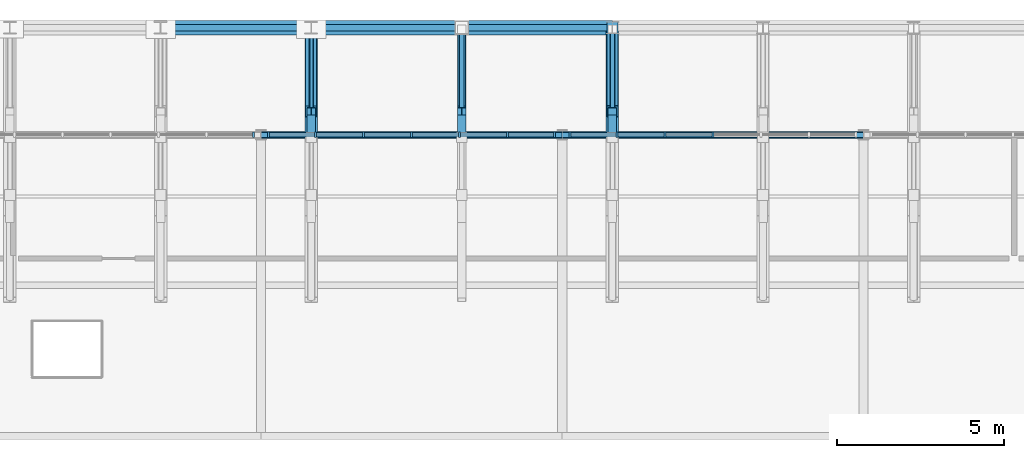
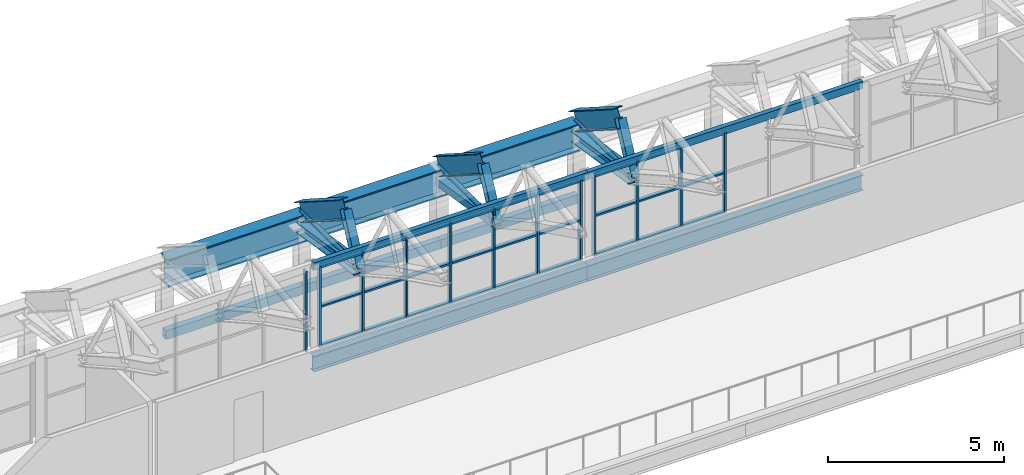
# One storey, part 84 of 134: 47 members, 13 beams, 3 elements without a shape of their own.
"""IFC4 building model written with IfcOpenShell, lengths in metres."""

from ifc_helpers import new_model, si_unit, direction, frame, origin, origin_2d, place, context, subcontext, project, spatial, rectangle, hollow_rectangle, hollow_circle, i_section, extrude, material, layer, layer_set, material_profile, profile_set, type_object, element, aggregate, save


model = new_model("IFC4")

# Units and contexts
model_context = context("Model", 3, precision=1e-05, world=origin(), true_north=direction((0.0, 1.0)))
body_context = subcontext(model_context, "Body", "Model", "MODEL_VIEW")
ifc_project = project(units=[si_unit("LENGTHUNIT", "METRE"), si_unit("AREAUNIT", "SQUARE_METRE"), si_unit("VOLUMEUNIT", "CUBIC_METRE"), si_unit("PLANEANGLEUNIT", "RADIAN"), si_unit("MASSUNIT", "GRAM", prefix="KILO")], contexts=[model_context])

# Site, building, storey
site_placement = place(None, origin())
site = spatial("IfcSite", under=ifc_project, at=site_placement, CompositionType="ELEMENT")
building_placement = place(site_placement, origin())
building = spatial("IfcBuilding", under=site, at=building_placement, Name="Cazmaro Siding Exhibition Halls", CompositionType="ELEMENT")
storey_placement = place(building_placement, frame((0.0, 0.0, 12.0)))
storey = spatial("IfcBuildingStorey", under=building, at=storey_placement, Name="L02", CompositionType="ELEMENT", Elevation=12.0)

# Beams
ifc_material_1 = material(Name="Steel ASTM A992 Grade 50", Category="steel")
ifc_material_profile_1 = material_profile(ifc_material_1, i_section(OverallWidth=0.327880859375, OverallDepth=0.626953125, WebThickness=0.01708984375, FlangeThickness=0.028076171875, at=origin_2d()), Name="W24X146")
ifc_profile_set_1 = profile_set([ifc_material_profile_1], Name="Steel ASTM A992 Grade 50")
beam_type_1 = type_object("IfcBeamType", Name="AR-01", PredefinedType="USERDEFINED", material=ifc_profile_set_1)
beam_1_placement = place(storey_placement, frame((139.5, 121.5, 3.89306640625), z_axis=(0.0, 0.843339173298, -0.537381650954), x_axis=(-1.0, 0.0, 0.0)))
element("IfcBeam", 1, at=beam_1_placement, inside=storey, type_object=beam_type_1, Name="Space frame barrel vault arched rib AR-01 BM-1062", ObjectType="ARCHED RIB", PredefinedType="USERDEFINED", context=body_context, shape_type="SweptSolid", body=[
    extrude(i_section(OverallWidth=0.327880859375, OverallDepth=0.626953125, WebThickness=0.01708984375, FlangeThickness=0.028076171875, at=origin_2d()), origin(), (0.0, 0.0, 1.0), 2.96435546875),
])
ifc_material_2 = material(Name="Steel ASTM A992 Grade 50", Category="steel")
ifc_material_profile_2 = material_profile(ifc_material_2, i_section(OverallWidth=0.324951171875, OverallDepth=0.612060546875, WebThickness=0.012939453125, FlangeThickness=0.01904296875, at=origin_2d()), Name="W24X104")
ifc_profile_set_2 = profile_set([ifc_material_profile_2], Name="Steel ASTM A992 Grade 50")
beam_type_2 = type_object("IfcBeamType", Name="AR-02", PredefinedType="USERDEFINED", material=ifc_profile_set_2)
beam_2_placement = place(storey_placement, frame((130.5, 121.5, 3.89306640625), z_axis=(0.0, 0.843339173298, -0.537381650954), x_axis=(-1.0, 0.0, 0.0)))
element("IfcBeam", 2, at=beam_2_placement, inside=storey, type_object=beam_type_2, Name="Space frame barrel vault arched rib AR-02 BM-1014", ObjectType="ARCHED RIB", PredefinedType="USERDEFINED", context=body_context, shape_type="SweptSolid", body=[
    extrude(i_section(OverallWidth=0.324951171875, OverallDepth=0.612060546875, WebThickness=0.012939453125, FlangeThickness=0.01904296875, at=origin_2d()), origin(), (0.0, 0.0, 1.0), 2.96435546875),
])
ifc_material_3 = material(Name="Steel ASTM A992 Grade 50", Category="steel")
ifc_material_profile_3 = material_profile(ifc_material_3, i_section(OverallWidth=0.22900390625, OverallDepth=0.612060546875, WebThickness=0.011962890625, FlangeThickness=0.02001953125, at=origin_2d()), Name="W24X84")
ifc_profile_set_3 = profile_set([ifc_material_profile_3], Name="Steel ASTM A992 Grade 50")
beam_type_3 = type_object("IfcBeamType", Name="AR-03", PredefinedType="USERDEFINED", material=ifc_profile_set_3)
beam_3_placement = place(storey_placement, frame((135.0, 121.5, 3.89306640625), z_axis=(0.0, 0.843339173298, -0.537381650954), x_axis=(-1.0, 0.0, 0.0)))
element("IfcBeam", 3, at=beam_3_placement, inside=storey, type_object=beam_type_3, Name="Space frame barrel vault arched rib AR-03 BM-1038", ObjectType="ARCHED RIB", PredefinedType="USERDEFINED", context=body_context, shape_type="SweptSolid", body=[
    extrude(i_section(OverallWidth=0.22900390625, OverallDepth=0.612060546875, WebThickness=0.011962890625, FlangeThickness=0.02001953125, at=origin_2d()), origin(), (0.0, 0.0, 1.0), 2.96435546875),
])
ifc_material_4 = material(Name="Steel ASTM A992 Grade 50", Category="steel")
ifc_material_profile_4 = material_profile(ifc_material_4, i_section(OverallWidth=0.2099609375, OverallDepth=0.535888671875, WebThickness=0.010986328125, FlangeThickness=0.01708984375, at=origin_2d()), Name="W21X68")
ifc_profile_set_4 = profile_set([ifc_material_profile_4], Name="Steel ASTM A992 Grade 50")
beam_type_4 = type_object("IfcBeamType", Name="B-02", PredefinedType="BEAM", material=ifc_profile_set_4)
for number, where, z_axis, x_axis, name in (
    (4, (129.0, 120.800048828125, -0.488037109375), (1.0, 0.0, 0.0), (0.0, 1.0, 0.0), "Beam B-02 BM-0426"),
    (5, (138.0, 120.800048828125, -0.488037109375), (1.0, 0.0, 0.0), (0.0, 1.0, 0.0), "Beam B-02 BM-0429"),
):
    element("IfcBeam", number, at=place(storey_placement, frame(where, z_axis=z_axis, x_axis=x_axis)), inside=storey, type_object=beam_type_4, Name=name, PredefinedType="BEAM", context=body_context, shape_type="SweptSolid", body=[
        extrude(i_section(OverallWidth=0.2099609375, OverallDepth=0.535888671875, WebThickness=0.010986328125, FlangeThickness=0.01708984375, at=origin_2d()), origin(), (0.0, 0.0, 1.0), 9.0),
    ])

# Curtain wall, member
ifc_material_5 = material(Name="Anodized Bronze Aluminum and Solar-Control Low-E Glazing", Category="aluminium")
ifc_layer = layer(ifc_material_5, 0.159912109375)
ifc_layer_set = layer_set([ifc_layer], Name="Anodized Bronze Aluminum and Solar-Control Low-E Glazing")
curtain_wall_type = type_object("IfcCurtainWallType", Name="CWS-04", PredefinedType="USERDEFINED", material=ifc_layer_set)
curtain_wall_1_placement = place(storey_placement, origin())
curtain_wall_1 = element("IfcCurtainWall", 6, at=curtain_wall_1_placement, inside=storey, type_object=curtain_wall_type, Name="Clerestory Curtain Wall CWS-04 CW-034", ObjectType="CLERESTORY CURTAIN WALL", PredefinedType="USERDEFINED")
ifc_material_6 = material(Name="Anodized Bronze Extruded Aluminum", Category="aluminium")
ifc_material_profile_5 = material_profile(ifc_material_6, rectangle(XDim=0.159912109375, YDim=0.06005859375, at=origin_2d()), Name="CWM-04")
ifc_profile_set_5 = profile_set([ifc_material_profile_5], Name="Anodized Bronze Extruded Aluminum")
member_type_1 = type_object("IfcMemberType", Name="CWM-04", PredefinedType="MULLION", material=ifc_profile_set_5)
member_1_placement = place(storey_placement, frame((128.77294921875, 120.800048828125, 0.0), z_axis=(0.0, 0.0, 1.0), x_axis=(0.0, -1.0, 0.0)))
member_1 = element("IfcMember", 7, at=member_1_placement, type_object=member_type_1, Name="CWS-04 mullion 1", PredefinedType="MULLION", context=body_context, shape_type="SweptSolid", body=[
    extrude(rectangle(XDim=0.159912109375, YDim=0.06005859375, at=origin_2d()), origin(), (0.0, 0.0, 1.0), 2.800048828125),
])
aggregate(curtain_wall_1, [member_1])

# Curtain wall, members
curtain_wall_2_placement = place(storey_placement, origin())
curtain_wall_2 = element("IfcCurtainWall", 8, at=curtain_wall_2_placement, inside=storey, type_object=curtain_wall_type, Name="Clerestory Curtain Wall CWS-04 CW-039", ObjectType="CLERESTORY CURTAIN WALL", PredefinedType="USERDEFINED")
member_2_placement = place(storey_placement, frame((137.77294921875, 120.800048828125, 0.0), z_axis=(0.0, 0.0, 1.0), x_axis=(0.0, -1.0, 0.0)))
member_2 = element("IfcMember", 9, at=member_2_placement, type_object=member_type_1, Name="CWS-04 mullion 1", PredefinedType="MULLION", context=body_context, shape_type="SweptSolid", body=[
    extrude(rectangle(XDim=0.159912109375, YDim=0.06005859375, at=origin_2d()), origin(), (0.0, 0.0, 1.0), 2.800048828125),
])
member_3_placement = place(storey_placement, frame((136.36865234375, 120.800048828125, 0.0), z_axis=(0.0, 0.0, 1.0), x_axis=(0.0, -1.0, 0.0)))
member_3 = element("IfcMember", 10, at=member_3_placement, type_object=member_type_1, Name="CWS-04 mullion 2", PredefinedType="MULLION", context=body_context, shape_type="SweptSolid", body=[
    extrude(rectangle(XDim=0.159912109375, YDim=0.06005859375, at=origin_2d()), origin(), (0.0, 0.0, 1.0), 2.800048828125),
])
member_4_placement = place(storey_placement, frame((134.934326171875, 120.800048828125, 0.0), z_axis=(0.0, 0.0, 1.0), x_axis=(0.0, -1.0, 0.0)))
member_4 = element("IfcMember", 11, at=member_4_placement, type_object=member_type_1, Name="CWS-04 mullion 3", PredefinedType="MULLION", context=body_context, shape_type="SweptSolid", body=[
    extrude(rectangle(XDim=0.159912109375, YDim=0.06005859375, at=origin_2d()), origin(), (0.0, 0.0, 1.0), 2.800048828125),
])
member_5_placement = place(storey_placement, frame((133.5, 120.800048828125, 0.0), z_axis=(0.0, 0.0, 1.0), x_axis=(0.0, -1.0, 0.0)))
member_5 = element("IfcMember", 12, at=member_5_placement, type_object=member_type_1, Name="CWS-04 mullion 4", PredefinedType="MULLION", context=body_context, shape_type="SweptSolid", body=[
    extrude(rectangle(XDim=0.159912109375, YDim=0.06005859375, at=origin_2d()), origin(), (0.0, 0.0, 1.0), 2.800048828125),
])
member_6_placement = place(storey_placement, frame((132.065673828125, 120.800048828125, 0.0), z_axis=(0.0, 0.0, 1.0), x_axis=(0.0, -1.0, 0.0)))
member_6 = element("IfcMember", 13, at=member_6_placement, type_object=member_type_1, Name="CWS-04 mullion 5", PredefinedType="MULLION", context=body_context, shape_type="SweptSolid", body=[
    extrude(rectangle(XDim=0.159912109375, YDim=0.06005859375, at=origin_2d()), origin(), (0.0, 0.0, 1.0), 2.800048828125),
])
member_7_placement = place(storey_placement, frame((130.63134765625, 120.800048828125, 0.0), z_axis=(0.0, 0.0, 1.0), x_axis=(0.0, -1.0, 0.0)))
member_7 = element("IfcMember", 14, at=member_7_placement, type_object=member_type_1, Name="CWS-04 mullion 6", PredefinedType="MULLION", context=body_context, shape_type="SweptSolid", body=[
    extrude(rectangle(XDim=0.159912109375, YDim=0.06005859375, at=origin_2d()), origin(), (0.0, 0.0, 1.0), 2.800048828125),
])
member_8_placement = place(storey_placement, frame((129.22705078125, 120.800048828125, 0.0), z_axis=(0.0, 0.0, 1.0), x_axis=(0.0, -1.0, 0.0)))
member_8 = element("IfcMember", 15, at=member_8_placement, type_object=member_type_1, Name="CWS-04 mullion 7", PredefinedType="MULLION", context=body_context, shape_type="SweptSolid", body=[
    extrude(rectangle(XDim=0.159912109375, YDim=0.06005859375, at=origin_2d()), origin(), (0.0, 0.0, 1.0), 2.800048828125),
])

curtain_wall_3_placement = place(storey_placement, origin())
curtain_wall_3 = element("IfcCurtainWall", 16, at=curtain_wall_3_placement, inside=storey, type_object=curtain_wall_type, Name="Clerestory Curtain Wall CWS-04 CW-042", ObjectType="CLERESTORY CURTAIN WALL", PredefinedType="USERDEFINED")
member_9_placement = place(storey_placement, frame((142.5, 120.800048828125, 0.0), z_axis=(0.0, 0.0, 1.0), x_axis=(0.0, -1.0, 0.0)))
member_9 = element("IfcMember", 17, at=member_9_placement, type_object=member_type_1, Name="CWS-04 mullion 4", PredefinedType="MULLION", context=body_context, shape_type="SweptSolid", body=[
    extrude(rectangle(XDim=0.159912109375, YDim=0.06005859375, at=origin_2d()), origin(), (0.0, 0.0, 1.0), 2.800048828125),
])
member_10_placement = place(storey_placement, frame((141.065673828125, 120.800048828125, 0.0), z_axis=(0.0, 0.0, 1.0), x_axis=(0.0, -1.0, 0.0)))
member_10 = element("IfcMember", 18, at=member_10_placement, type_object=member_type_1, Name="CWS-04 mullion 5", PredefinedType="MULLION", context=body_context, shape_type="SweptSolid", body=[
    extrude(rectangle(XDim=0.159912109375, YDim=0.06005859375, at=origin_2d()), origin(), (0.0, 0.0, 1.0), 2.800048828125),
])
member_11_placement = place(storey_placement, frame((139.63134765625, 120.800048828125, 0.0), z_axis=(0.0, 0.0, 1.0), x_axis=(0.0, -1.0, 0.0)))
member_11 = element("IfcMember", 19, at=member_11_placement, type_object=member_type_1, Name="CWS-04 mullion 6", PredefinedType="MULLION", context=body_context, shape_type="SweptSolid", body=[
    extrude(rectangle(XDim=0.159912109375, YDim=0.06005859375, at=origin_2d()), origin(), (0.0, 0.0, 1.0), 2.800048828125),
])
member_12_placement = place(storey_placement, frame((138.22705078125, 120.800048828125, 0.0), z_axis=(0.0, 0.0, 1.0), x_axis=(0.0, -1.0, 0.0)))
member_12 = element("IfcMember", 20, at=member_12_placement, type_object=member_type_1, Name="CWS-04 mullion 7", PredefinedType="MULLION", context=body_context, shape_type="SweptSolid", body=[
    extrude(rectangle(XDim=0.159912109375, YDim=0.06005859375, at=origin_2d()), origin(), (0.0, 0.0, 1.0), 2.800048828125),
])

# Member
ifc_material_7 = material(Name="Anodized Bronze Extruded Aluminum", Category="aluminium")
ifc_material_profile_6 = material_profile(ifc_material_7, rectangle(XDim=0.139892578125, YDim=0.06005859375, at=origin_2d()), Name="CWT-04")
ifc_profile_set_6 = profile_set([ifc_material_profile_6], Name="Anodized Bronze Extruded Aluminum")
member_type_2 = type_object("IfcMemberType", Name="CWT-04", PredefinedType="MULLION", material=ifc_profile_set_6)
member_13_placement = place(storey_placement, frame((137.742919921875, 120.800048828125, 0.030029296875), z_axis=(-1.0, 0.0, 0.0), x_axis=(0.0, -1.0, 0.0)))
member_13 = element("IfcMember", 21, at=member_13_placement, type_object=member_type_2, Name="CWS-04 transom 1.1", ObjectType="TRANSOM", PredefinedType="USERDEFINED", context=body_context, shape_type="SweptSolid", body=[
    extrude(rectangle(XDim=0.139892578125, YDim=0.06005859375, at=origin_2d()), origin(), (0.0, 0.0, 1.0), 1.34423828125),
])

member_14_placement = place(storey_placement, frame((137.742919921875, 120.800048828125, 1.39990234375), z_axis=(-1.0, 0.0, 0.0), x_axis=(0.0, -1.0, 0.0)))
member_14 = element("IfcMember", 22, at=member_14_placement, type_object=member_type_2, Name="CWS-04 transom 1.2", ObjectType="TRANSOM", PredefinedType="USERDEFINED", context=body_context, shape_type="SweptSolid", body=[
    extrude(rectangle(XDim=0.139892578125, YDim=0.06005859375, at=origin_2d()), origin(), (0.0, 0.0, 1.0), 1.34423828125),
])

member_15_placement = place(storey_placement, frame((137.742919921875, 120.800048828125, 2.77001953125), z_axis=(-1.0, 0.0, 0.0), x_axis=(0.0, -1.0, 0.0)))
member_15 = element("IfcMember", 23, at=member_15_placement, type_object=member_type_2, Name="CWS-04 transom 1.3", ObjectType="TRANSOM", PredefinedType="USERDEFINED", context=body_context, shape_type="SweptSolid", body=[
    extrude(rectangle(XDim=0.139892578125, YDim=0.06005859375, at=origin_2d()), origin(), (0.0, 0.0, 1.0), 1.34423828125),
])

member_16_placement = place(storey_placement, frame((136.338623046875, 120.800048828125, 0.030029296875), z_axis=(-1.0, 0.0, 0.0), x_axis=(0.0, -1.0, 0.0)))
member_16 = element("IfcMember", 24, at=member_16_placement, type_object=member_type_2, Name="CWS-04 transom 2.1", ObjectType="TRANSOM", PredefinedType="USERDEFINED", context=body_context, shape_type="SweptSolid", body=[
    extrude(rectangle(XDim=0.139892578125, YDim=0.06005859375, at=origin_2d()), origin(), (0.0, 0.0, 1.0), 1.374267578125),
])

member_17_placement = place(storey_placement, frame((136.338623046875, 120.800048828125, 1.39990234375), z_axis=(-1.0, 0.0, 0.0), x_axis=(0.0, -1.0, 0.0)))
member_17 = element("IfcMember", 25, at=member_17_placement, type_object=member_type_2, Name="CWS-04 transom 2.2", ObjectType="TRANSOM", PredefinedType="USERDEFINED", context=body_context, shape_type="SweptSolid", body=[
    extrude(rectangle(XDim=0.139892578125, YDim=0.06005859375, at=origin_2d()), origin(), (0.0, 0.0, 1.0), 1.374267578125),
])

member_18_placement = place(storey_placement, frame((136.338623046875, 120.800048828125, 2.77001953125), z_axis=(-1.0, 0.0, 0.0), x_axis=(0.0, -1.0, 0.0)))
member_18 = element("IfcMember", 26, at=member_18_placement, type_object=member_type_2, Name="CWS-04 transom 2.3", ObjectType="TRANSOM", PredefinedType="USERDEFINED", context=body_context, shape_type="SweptSolid", body=[
    extrude(rectangle(XDim=0.139892578125, YDim=0.06005859375, at=origin_2d()), origin(), (0.0, 0.0, 1.0), 1.374267578125),
])

member_19_placement = place(storey_placement, frame((134.904296875, 120.800048828125, 0.030029296875), z_axis=(-1.0, 0.0, 0.0), x_axis=(0.0, -1.0, 0.0)))
member_19 = element("IfcMember", 27, at=member_19_placement, type_object=member_type_2, Name="CWS-04 transom 3.1", ObjectType="TRANSOM", PredefinedType="USERDEFINED", context=body_context, shape_type="SweptSolid", body=[
    extrude(rectangle(XDim=0.139892578125, YDim=0.06005859375, at=origin_2d()), origin(), (0.0, 0.0, 1.0), 1.374267578125),
])

member_20_placement = place(storey_placement, frame((134.904296875, 120.800048828125, 1.39990234375), z_axis=(-1.0, 0.0, 0.0), x_axis=(0.0, -1.0, 0.0)))
member_20 = element("IfcMember", 28, at=member_20_placement, type_object=member_type_2, Name="CWS-04 transom 3.2", ObjectType="TRANSOM", PredefinedType="USERDEFINED", context=body_context, shape_type="SweptSolid", body=[
    extrude(rectangle(XDim=0.139892578125, YDim=0.06005859375, at=origin_2d()), origin(), (0.0, 0.0, 1.0), 1.374267578125),
])

member_21_placement = place(storey_placement, frame((134.904296875, 120.800048828125, 2.77001953125), z_axis=(-1.0, 0.0, 0.0), x_axis=(0.0, -1.0, 0.0)))
member_21 = element("IfcMember", 29, at=member_21_placement, type_object=member_type_2, Name="CWS-04 transom 3.3", ObjectType="TRANSOM", PredefinedType="USERDEFINED", context=body_context, shape_type="SweptSolid", body=[
    extrude(rectangle(XDim=0.139892578125, YDim=0.06005859375, at=origin_2d()), origin(), (0.0, 0.0, 1.0), 1.374267578125),
])

member_22_placement = place(storey_placement, frame((133.469970703125, 120.800048828125, 0.030029296875), z_axis=(-1.0, 0.0, 0.0), x_axis=(0.0, -1.0, 0.0)))
member_22 = element("IfcMember", 30, at=member_22_placement, type_object=member_type_2, Name="CWS-04 transom 4.1", ObjectType="TRANSOM", PredefinedType="USERDEFINED", context=body_context, shape_type="SweptSolid", body=[
    extrude(rectangle(XDim=0.139892578125, YDim=0.06005859375, at=origin_2d()), origin(), (0.0, 0.0, 1.0), 1.374267578125),
])

member_23_placement = place(storey_placement, frame((133.469970703125, 120.800048828125, 1.39990234375), z_axis=(-1.0, 0.0, 0.0), x_axis=(0.0, -1.0, 0.0)))
member_23 = element("IfcMember", 31, at=member_23_placement, type_object=member_type_2, Name="CWS-04 transom 4.2", ObjectType="TRANSOM", PredefinedType="USERDEFINED", context=body_context, shape_type="SweptSolid", body=[
    extrude(rectangle(XDim=0.139892578125, YDim=0.06005859375, at=origin_2d()), origin(), (0.0, 0.0, 1.0), 1.374267578125),
])

member_24_placement = place(storey_placement, frame((133.469970703125, 120.800048828125, 2.77001953125), z_axis=(-1.0, 0.0, 0.0), x_axis=(0.0, -1.0, 0.0)))
member_24 = element("IfcMember", 32, at=member_24_placement, type_object=member_type_2, Name="CWS-04 transom 4.3", ObjectType="TRANSOM", PredefinedType="USERDEFINED", context=body_context, shape_type="SweptSolid", body=[
    extrude(rectangle(XDim=0.139892578125, YDim=0.06005859375, at=origin_2d()), origin(), (0.0, 0.0, 1.0), 1.374267578125),
])

member_25_placement = place(storey_placement, frame((132.03564453125, 120.800048828125, 0.030029296875), z_axis=(-1.0, 0.0, 0.0), x_axis=(0.0, -1.0, 0.0)))
member_25 = element("IfcMember", 33, at=member_25_placement, type_object=member_type_2, Name="CWS-04 transom 5.1", ObjectType="TRANSOM", PredefinedType="USERDEFINED", context=body_context, shape_type="SweptSolid", body=[
    extrude(rectangle(XDim=0.139892578125, YDim=0.06005859375, at=origin_2d()), origin(), (0.0, 0.0, 1.0), 1.374267578125),
])

member_26_placement = place(storey_placement, frame((132.03564453125, 120.800048828125, 1.39990234375), z_axis=(-1.0, 0.0, 0.0), x_axis=(0.0, -1.0, 0.0)))
member_26 = element("IfcMember", 34, at=member_26_placement, type_object=member_type_2, Name="CWS-04 transom 5.2", ObjectType="TRANSOM", PredefinedType="USERDEFINED", context=body_context, shape_type="SweptSolid", body=[
    extrude(rectangle(XDim=0.139892578125, YDim=0.06005859375, at=origin_2d()), origin(), (0.0, 0.0, 1.0), 1.374267578125),
])

member_27_placement = place(storey_placement, frame((132.03564453125, 120.800048828125, 2.77001953125), z_axis=(-1.0, 0.0, 0.0), x_axis=(0.0, -1.0, 0.0)))
member_27 = element("IfcMember", 35, at=member_27_placement, type_object=member_type_2, Name="CWS-04 transom 5.3", ObjectType="TRANSOM", PredefinedType="USERDEFINED", context=body_context, shape_type="SweptSolid", body=[
    extrude(rectangle(XDim=0.139892578125, YDim=0.06005859375, at=origin_2d()), origin(), (0.0, 0.0, 1.0), 1.374267578125),
])

member_28_placement = place(storey_placement, frame((130.601318359375, 120.800048828125, 0.030029296875), z_axis=(-1.0, 0.0, 0.0), x_axis=(0.0, -1.0, 0.0)))
member_28 = element("IfcMember", 36, at=member_28_placement, type_object=member_type_2, Name="CWS-04 transom 6.1", ObjectType="TRANSOM", PredefinedType="USERDEFINED", context=body_context, shape_type="SweptSolid", body=[
    extrude(rectangle(XDim=0.139892578125, YDim=0.06005859375, at=origin_2d()), origin(), (0.0, 0.0, 1.0), 1.34423828125),
])

member_29_placement = place(storey_placement, frame((130.601318359375, 120.800048828125, 1.39990234375), z_axis=(-1.0, 0.0, 0.0), x_axis=(0.0, -1.0, 0.0)))
member_29 = element("IfcMember", 37, at=member_29_placement, type_object=member_type_2, Name="CWS-04 transom 6.2", ObjectType="TRANSOM", PredefinedType="USERDEFINED", context=body_context, shape_type="SweptSolid", body=[
    extrude(rectangle(XDim=0.139892578125, YDim=0.06005859375, at=origin_2d()), origin(), (0.0, 0.0, 1.0), 1.34423828125),
])

member_30_placement = place(storey_placement, frame((130.601318359375, 120.800048828125, 2.77001953125), z_axis=(-1.0, 0.0, 0.0), x_axis=(0.0, -1.0, 0.0)))
member_30 = element("IfcMember", 38, at=member_30_placement, type_object=member_type_2, Name="CWS-04 transom 6.3", ObjectType="TRANSOM", PredefinedType="USERDEFINED", context=body_context, shape_type="SweptSolid", body=[
    extrude(rectangle(XDim=0.139892578125, YDim=0.06005859375, at=origin_2d()), origin(), (0.0, 0.0, 1.0), 1.34423828125),
])

aggregate(curtain_wall_2, [member_2, member_3, member_4, member_5, member_6, member_7, member_8, member_13, member_14, member_15, member_16, member_17, member_18, member_19, member_20, member_21, member_22, member_23, member_24, member_25, member_26, member_27, member_28, member_29, member_30])

member_31_placement = place(storey_placement, frame((142.469970703125, 120.800048828125, 0.030029296875), z_axis=(-1.0, 0.0, 0.0), x_axis=(0.0, -1.0, 0.0)))
member_31 = element("IfcMember", 39, at=member_31_placement, type_object=member_type_2, Name="CWS-04 transom 4.1", ObjectType="TRANSOM", PredefinedType="USERDEFINED", context=body_context, shape_type="SweptSolid", body=[
    extrude(rectangle(XDim=0.139892578125, YDim=0.06005859375, at=origin_2d()), origin(), (0.0, 0.0, 1.0), 1.374267578125),
])

member_32_placement = place(storey_placement, frame((142.469970703125, 120.800048828125, 1.39990234375), z_axis=(-1.0, 0.0, 0.0), x_axis=(0.0, -1.0, 0.0)))
member_32 = element("IfcMember", 40, at=member_32_placement, type_object=member_type_2, Name="CWS-04 transom 4.2", ObjectType="TRANSOM", PredefinedType="USERDEFINED", context=body_context, shape_type="SweptSolid", body=[
    extrude(rectangle(XDim=0.139892578125, YDim=0.06005859375, at=origin_2d()), origin(), (0.0, 0.0, 1.0), 1.374267578125),
])

member_33_placement = place(storey_placement, frame((141.03564453125, 120.800048828125, 0.030029296875), z_axis=(-1.0, 0.0, 0.0), x_axis=(0.0, -1.0, 0.0)))
member_33 = element("IfcMember", 41, at=member_33_placement, type_object=member_type_2, Name="CWS-04 transom 5.1", ObjectType="TRANSOM", PredefinedType="USERDEFINED", context=body_context, shape_type="SweptSolid", body=[
    extrude(rectangle(XDim=0.139892578125, YDim=0.06005859375, at=origin_2d()), origin(), (0.0, 0.0, 1.0), 1.374267578125),
])

member_34_placement = place(storey_placement, frame((141.03564453125, 120.800048828125, 1.39990234375), z_axis=(-1.0, 0.0, 0.0), x_axis=(0.0, -1.0, 0.0)))
member_34 = element("IfcMember", 42, at=member_34_placement, type_object=member_type_2, Name="CWS-04 transom 5.2", ObjectType="TRANSOM", PredefinedType="USERDEFINED", context=body_context, shape_type="SweptSolid", body=[
    extrude(rectangle(XDim=0.139892578125, YDim=0.06005859375, at=origin_2d()), origin(), (0.0, 0.0, 1.0), 1.374267578125),
])

member_35_placement = place(storey_placement, frame((141.03564453125, 120.800048828125, 2.77001953125), z_axis=(-1.0, 0.0, 0.0), x_axis=(0.0, -1.0, 0.0)))
member_35 = element("IfcMember", 43, at=member_35_placement, type_object=member_type_2, Name="CWS-04 transom 5.3", ObjectType="TRANSOM", PredefinedType="USERDEFINED", context=body_context, shape_type="SweptSolid", body=[
    extrude(rectangle(XDim=0.139892578125, YDim=0.06005859375, at=origin_2d()), origin(), (0.0, 0.0, 1.0), 1.374267578125),
])

member_36_placement = place(storey_placement, frame((139.601318359375, 120.800048828125, 0.030029296875), z_axis=(-1.0, 0.0, 0.0), x_axis=(0.0, -1.0, 0.0)))
member_36 = element("IfcMember", 44, at=member_36_placement, type_object=member_type_2, Name="CWS-04 transom 6.1", ObjectType="TRANSOM", PredefinedType="USERDEFINED", context=body_context, shape_type="SweptSolid", body=[
    extrude(rectangle(XDim=0.139892578125, YDim=0.06005859375, at=origin_2d()), origin(), (0.0, 0.0, 1.0), 1.34423828125),
])

member_37_placement = place(storey_placement, frame((139.601318359375, 120.800048828125, 1.39990234375), z_axis=(-1.0, 0.0, 0.0), x_axis=(0.0, -1.0, 0.0)))
member_37 = element("IfcMember", 45, at=member_37_placement, type_object=member_type_2, Name="CWS-04 transom 6.2", ObjectType="TRANSOM", PredefinedType="USERDEFINED", context=body_context, shape_type="SweptSolid", body=[
    extrude(rectangle(XDim=0.139892578125, YDim=0.06005859375, at=origin_2d()), origin(), (0.0, 0.0, 1.0), 1.34423828125),
])

member_38_placement = place(storey_placement, frame((139.601318359375, 120.800048828125, 2.77001953125), z_axis=(-1.0, 0.0, 0.0), x_axis=(0.0, -1.0, 0.0)))
member_38 = element("IfcMember", 46, at=member_38_placement, type_object=member_type_2, Name="CWS-04 transom 6.3", ObjectType="TRANSOM", PredefinedType="USERDEFINED", context=body_context, shape_type="SweptSolid", body=[
    extrude(rectangle(XDim=0.139892578125, YDim=0.06005859375, at=origin_2d()), origin(), (0.0, 0.0, 1.0), 1.34423828125),
])

aggregate(curtain_wall_3, [member_9, member_10, member_11, member_12, member_31, member_32, member_33, member_34, member_35, member_36, member_37, member_38])

# Beams
ifc_material_8 = material(Name="Steel ASTM A992 Grade 50", Category="steel")
ifc_material_profile_7 = material_profile(ifc_material_8, i_section(OverallWidth=0.424072265625, OverallDepth=0.947021484375, WebThickness=0.02392578125, FlangeThickness=0.04296875, at=origin_2d()), Name="W36X302")
ifc_profile_set_7 = profile_set([ifc_material_profile_7], Name="Steel ASTM A992 Grade 50")
beam_type_5 = type_object("IfcBeamType", Name="G-01", PredefinedType="USERDEFINED", material=ifc_profile_set_7)
for number, where, z_axis, x_axis, name in (
    (47, (126.0, 124.0, 1.826904296875), (1.0, 0.0, 0.0), (0.0, 1.0, 0.0), "Beam G-01 BM-0174"),
    (48, (130.5, 124.0, 1.826904296875), (1.0, 0.0, 0.0), (0.0, 1.0, 0.0), "Beam G-01 BM-0180"),
    (49, (135.0, 124.0, 1.826904296875), (1.0, 0.0, 0.0), (0.0, 1.0, 0.0), "Beam G-01 BM-0186"),
):
    element("IfcBeam", number, at=place(storey_placement, frame(where, z_axis=z_axis, x_axis=x_axis)), inside=storey, type_object=beam_type_5, Name=name, ObjectType="GIRDER", PredefinedType="USERDEFINED", context=body_context, shape_type="SweptSolid", body=[
        extrude(i_section(OverallWidth=0.424072265625, OverallDepth=0.947021484375, WebThickness=0.02392578125, FlangeThickness=0.04296875, at=origin_2d()), origin(), (0.0, 0.0, 1.0), 4.5),
    ])
ifc_material_9 = material(Name="Steel ASTM A500 Grade C", Category="steel")
ifc_material_profile_8 = material_profile(ifc_material_9, hollow_rectangle(XDim=0.202880859375, YDim=0.304931640625, WallThickness=0.011962890625, at=origin_2d()), Name="HSS12X8X1/2")
ifc_profile_set_8 = profile_set([ifc_material_profile_8], Name="Steel ASTM A500 Grade C")
beam_type_6 = type_object("IfcBeamType", Name="SP-01", PredefinedType="SPANDREL", material=ifc_profile_set_8)
for number, where, z_axis, x_axis, name in (
    (50, (126.0, 124.0, -0.373046875), (1.0, 0.0, 0.0), (0.0, 1.0, 0.0), "Beam SP-01 BM-0173"),
    (51, (130.5, 124.0, -0.373046875), (1.0, 0.0, 0.0), (0.0, 1.0, 0.0), "Beam SP-01 BM-0179"),
    (52, (135.0, 124.0, -0.373046875), (1.0, 0.0, 0.0), (0.0, 1.0, 0.0), "Beam SP-01 BM-0185"),
):
    element("IfcBeam", number, at=place(storey_placement, frame(where, z_axis=z_axis, x_axis=x_axis)), inside=storey, type_object=beam_type_6, Name=name, PredefinedType="SPANDREL", context=body_context, shape_type="SweptSolid", body=[
        extrude(hollow_rectangle(XDim=0.202880859375, YDim=0.304931640625, WallThickness=0.011962890625, at=origin_2d()), origin(), (0.0, 0.0, 1.0), 4.5),
    ])
ifc_material_10 = material(Name="Steel ASTM A500 Grade C", Category="steel")
ifc_material_profile_9 = material_profile(ifc_material_10, hollow_rectangle(XDim=0.152099609375, YDim=0.25390625, WallThickness=0.011962890625, at=origin_2d()), Name="HSS10X6X1/2")
ifc_profile_set_9 = profile_set([ifc_material_profile_9], Name="Steel ASTM A500 Grade C")
beam_type_7 = type_object("IfcBeamType", Name="SP-02", PredefinedType="SPANDREL", material=ifc_profile_set_9)
for number, where, z_axis, x_axis, name in (
    (53, (129.0, 120.800048828125, 2.873046875), (1.0, 0.0, 0.0), (0.0, 1.0, 0.0), "Beam SP-02 BM-0246"),
    (54, (138.0, 120.800048828125, 2.873046875), (1.0, 0.0, 0.0), (0.0, 1.0, 0.0), "Beam SP-02 BM-0248"),
):
    element("IfcBeam", number, at=place(storey_placement, frame(where, z_axis=z_axis, x_axis=x_axis)), inside=storey, type_object=beam_type_7, Name=name, PredefinedType="SPANDREL", context=body_context, shape_type="SweptSolid", body=[
        extrude(hollow_rectangle(XDim=0.152099609375, YDim=0.25390625, WallThickness=0.011962890625, at=origin_2d()), origin(), (0.0, 0.0, 1.0), 9.0),
    ])

# Members
ifc_material_11 = material(Name="Steel ASTM A500 Grade C", Category="steel")
ifc_material_profile_10 = material_profile(ifc_material_11, hollow_rectangle(XDim=0.25390625, YDim=0.25390625, WallThickness=0.014892578125, at=origin_2d()), Name="HSS10X10X5/8")
ifc_profile_set_10 = profile_set([ifc_material_profile_10], Name="Steel ASTM A500 Grade C")
member_type_3 = type_object("IfcMemberType", Name="TC-01", PredefinedType="CHORD", material=ifc_profile_set_10)
member_39_placement = place(storey_placement, frame((135.0, 120.72900390625, 2.305908203125), z_axis=(0.0, 0.988252010809, -0.152833121839), x_axis=(-1.0, 0.0, 0.0)))
element("IfcMember", 55, at=member_39_placement, inside=storey, type_object=member_type_3, Name="Space frame barrel vault bottom chord TC-01 MEM-1419", PredefinedType="CHORD", context=body_context, shape_type="SweptSolid", body=[
    extrude(hollow_rectangle(XDim=0.25390625, YDim=0.25390625, WallThickness=0.014892578125, at=origin_2d()), origin(), (0.0, 0.0, 1.0), 3.309814453125),
])
ifc_material_12 = material(Name="Steel ASTM A992 Grade 50", Category="steel")
ifc_material_profile_11 = material_profile(ifc_material_12, i_section(OverallWidth=0.37109375, OverallDepth=0.364013671875, WebThickness=0.012939453125, FlangeThickness=0.02197265625, at=origin_2d()), Name="W14X109")
ifc_profile_set_11 = profile_set([ifc_material_profile_11], Name="Steel ASTM A992 Grade 50")
member_type_4 = type_object("IfcMemberType", Name="TC-06", PredefinedType="CHORD", material=ifc_profile_set_11)
for number, where, z_axis, x_axis, name in (
    (56, (130.5, 120.72900390625, 2.305908203125), (0.0, 0.988252010809, -0.152833121839), (-1.0, 0.0, 0.0), "Space frame barrel vault bottom chord TC-06 MEM-1348"),
    (57, (139.5, 120.72900390625, 2.305908203125), (0.0, 0.988252010809, -0.152833121839), (-1.0, 0.0, 0.0), "Space frame barrel vault bottom chord TC-06 MEM-1490"),
):
    element("IfcMember", number, at=place(storey_placement, frame(where, z_axis=z_axis, x_axis=x_axis)), inside=storey, type_object=member_type_4, Name=name, PredefinedType="CHORD", context=body_context, shape_type="SweptSolid", body=[
        extrude(i_section(OverallWidth=0.37109375, OverallDepth=0.364013671875, WebThickness=0.012939453125, FlangeThickness=0.02197265625, at=origin_2d()), origin(), (0.0, 0.0, 1.0), 3.309814453125),
    ])
ifc_material_13 = material(Name="Steel ASTM A992 Grade 50", Category="steel")
ifc_material_profile_12 = material_profile(ifc_material_13, i_section(OverallWidth=0.25390625, OverallDepth=0.25390625, WebThickness=0.009033203125, FlangeThickness=0.013916015625, at=origin_2d()), Name="W10X49")
ifc_profile_set_12 = profile_set([ifc_material_profile_12], Name="Steel ASTM A992 Grade 50")
member_type_5 = type_object("IfcMemberType", Name="TP-04", PredefinedType="POST", material=ifc_profile_set_12)
for number, where, z_axis, x_axis, name in (
    (58, (130.5, 120.72900390625, 2.305908203125), (0.0, 0.436945543824, 0.89948796086), (-1.0, 0.0, 0.0), "Space frame barrel vault post TP-04 MEM-1372"),
    (59, (135.0, 120.72900390625, 2.305908203125), (0.0, 0.436945543824, 0.89948796086), (-1.0, 0.0, 0.0), "Space frame barrel vault post TP-04 MEM-1443"),
    (60, (139.5, 120.72900390625, 2.305908203125), (0.0, 0.436945543824, 0.89948796086), (-1.0, 0.0, 0.0), "Space frame barrel vault post TP-04 MEM-1514"),
):
    element("IfcMember", number, at=place(storey_placement, frame(where, z_axis=z_axis, x_axis=x_axis)), inside=storey, type_object=member_type_5, Name=name, PredefinedType="POST", context=body_context, shape_type="SweptSolid", body=[
        extrude(i_section(OverallWidth=0.25390625, OverallDepth=0.25390625, WebThickness=0.009033203125, FlangeThickness=0.013916015625, at=origin_2d()), origin(), (0.0, 0.0, 1.0), 1.764404296875),
    ])
ifc_material_14 = material(Name="Steel ASTM A500 Grade C", Category="steel")
ifc_material_profile_13 = material_profile(ifc_material_14, hollow_circle(Radius=0.070556640625, WallThickness=0.01904296875, at=origin_2d()), Name="PIPE5XXS")
ifc_profile_set_13 = profile_set([ifc_material_profile_13], Name="Steel ASTM A500 Grade C")
member_type_6 = type_object("IfcMemberType", Name="WB-07", PredefinedType="BRACE", material=ifc_profile_set_13)
for number, where, z_axis, x_axis, name in (
    (61, (130.5, 120.72900390625, 2.305908203125), (0.0, 0.999998395604, -0.001791309262), (-1.0, 0.0, 0.0), "Space frame barrel vault diagonal WB-07 MEM-1349"),
    (62, (135.0, 120.72900390625, 2.305908203125), (0.0, 0.999998395604, -0.001791309262), (-1.0, 0.0, 0.0), "Space frame barrel vault diagonal WB-07 MEM-1420"),
    (63, (139.5, 120.72900390625, 2.305908203125), (0.0, 0.999998395604, -0.001791309262), (-1.0, 0.0, 0.0), "Space frame barrel vault diagonal WB-07 MEM-1491"),
):
    element("IfcMember", number, at=place(storey_placement, frame(where, z_axis=z_axis, x_axis=x_axis)), inside=storey, type_object=member_type_6, Name=name, PredefinedType="BRACE", context=body_context, shape_type="SweptSolid", body=[
        extrude(hollow_circle(Radius=0.070556640625, WallThickness=0.01904296875, at=origin_2d()), origin(), (0.0, 0.0, 1.0), 3.27099609375),
    ])

save(model, "model.ifc")
